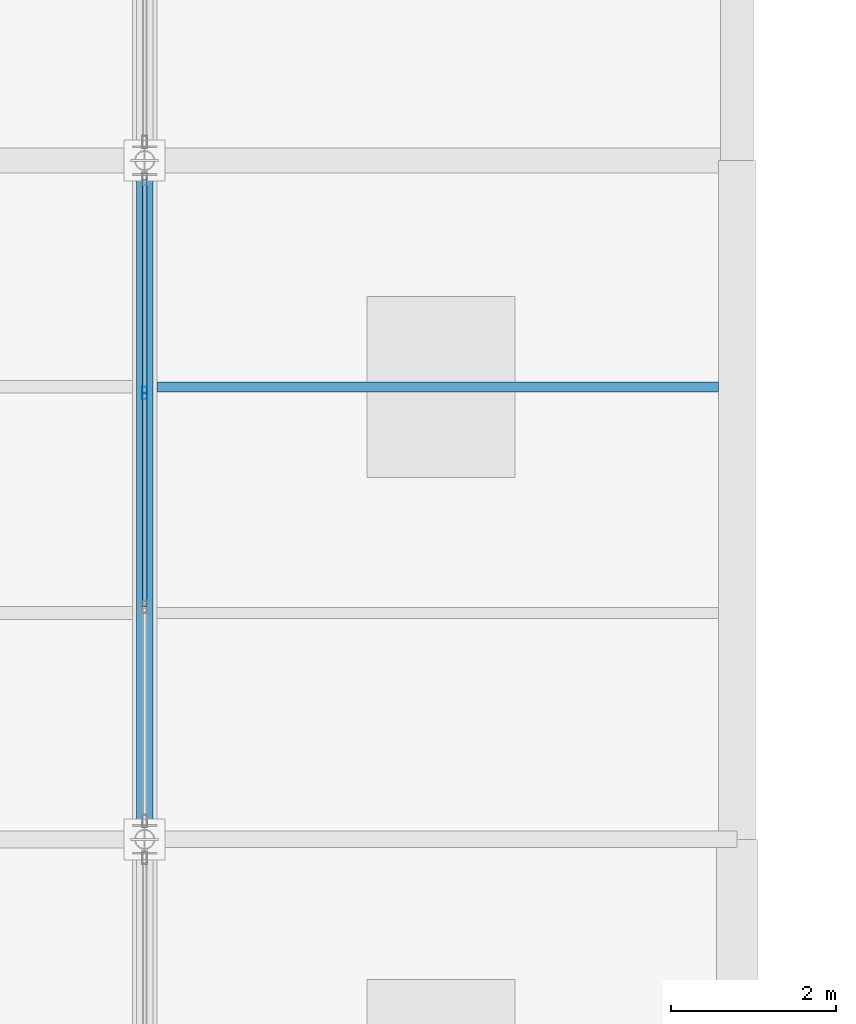
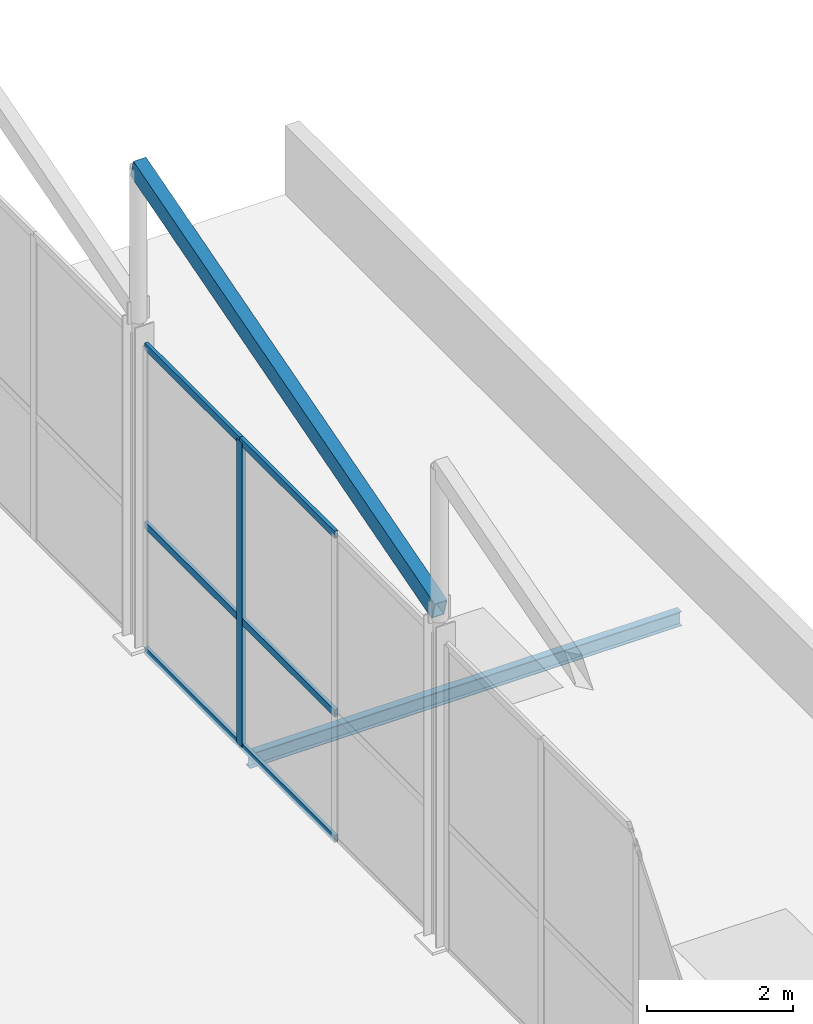
# One storey, part 68 of 141: 8 members, 1 beam, 1 element without a shape of its own.
"""IFC4 building model written with IfcOpenShell, lengths in metres."""

from ifc_helpers import new_model, si_unit, direction, frame, origin, origin_2d, place, context, subcontext, project, spatial, hollow_rectangle, i_section, extrude, material, layer, layer_set, material_profile, profile_set, type_object, element, aggregate, save


model = new_model("IFC4")

# Units and contexts
model_context = context("Model", 3, precision=1e-05, world=origin(), true_north=direction((0.0, 1.0)))
body_context = subcontext(model_context, "Body", "Model", "MODEL_VIEW")
ifc_project = project(units=[si_unit("LENGTHUNIT", "METRE"), si_unit("AREAUNIT", "SQUARE_METRE"), si_unit("VOLUMEUNIT", "CUBIC_METRE"), si_unit("PLANEANGLEUNIT", "RADIAN"), si_unit("MASSUNIT", "GRAM", prefix="KILO")], contexts=[model_context])

# Site, building, storey
site_placement = place(None, origin())
site = spatial("IfcSite", under=ifc_project, at=site_placement, CompositionType="ELEMENT")
building_placement = place(site_placement, origin())
building = spatial("IfcBuilding", under=site, at=building_placement, Name="Sundgate Opera House", CompositionType="ELEMENT")
storey_placement = place(building_placement, frame((0.0, 0.0, 11.39990234375)))
storey = spatial("IfcBuildingStorey", under=building, at=storey_placement, Name="L02", CompositionType="ELEMENT", Elevation=11.39990234375)

# Beam
ifc_material_1 = material(Name="Steel S355J2", Category="steel")
ifc_material_profile_1 = material_profile(ifc_material_1, i_section(OverallWidth=0.1201171875, OverallDepth=0.239990234375, WebThickness=0.006103515625, FlangeThickness=0.009765625, at=origin_2d()), Name="IPE 240")
ifc_profile_set_1 = profile_set([ifc_material_profile_1], Name="Steel S355J2")
beam_type = type_object("IfcBeamType", Name="BM-JS-IPE240", PredefinedType="JOIST", material=ifc_profile_set_1)
beam_placement = place(storey_placement, frame((153.14990234375, 22.0, -0.349853515625), z_axis=(1.0, 0.0, 0.0), x_axis=(0.0, 1.0, 0.0)))
element("IfcBeam", 1, at=beam_placement, inside=storey, type_object=beam_type, Name="L02 Secondary Floor Joist B2177", PredefinedType="JOIST", context=body_context, shape_type="SweptSolid", body=[
    extrude(i_section(OverallWidth=0.1201171875, OverallDepth=0.239990234375, WebThickness=0.006103515625, FlangeThickness=0.009765625, at=origin_2d()), origin(), (0.0, 0.0, 1.0), 6.8251953125),
])

# Curtain wall, members
ifc_material_2 = material(Name="Anodized aluminium and low-iron glass", Category="aluminium")
ifc_layer = layer(ifc_material_2, 0.14990234375)
ifc_layer_set = layer_set([ifc_layer], Name="Anodized aluminium and low-iron glass")
curtain_wall_type = type_object("IfcCurtainWallType", Name="CW-WORKSHOP-DARK", PredefinedType="NOTDEFINED", material=ifc_layer_set)
curtain_wall_placement = place(storey_placement, origin())
curtain_wall = element("IfcCurtainWall", 2, at=curtain_wall_placement, inside=storey, type_object=curtain_wall_type, Name="L02 Curtain Wall CW166", PredefinedType="NOTDEFINED")
ifc_material_3 = material(Name="Anodized aluminium EN AW-6063", Category="aluminium")
ifc_material_profile_2 = material_profile(ifc_material_3, hollow_rectangle(XDim=0.06005859375, YDim=0.14990234375, WallThickness=0.00390625, at=origin_2d()), Name="CWM 150x60x4")
ifc_profile_set_2 = profile_set([ifc_material_profile_2], Name="Anodized aluminium EN AW-6063")
member_type_1 = type_object("IfcMemberType", Name="CWM-ALU-150x60", PredefinedType="MULLION", material=ifc_profile_set_2)
member_1_placement = place(storey_placement, frame((153.0, 21.925048828125, 0.0), z_axis=(0.0, 0.0, 1.0), x_axis=(1.0, 0.0, 0.0)))
member_1 = element("IfcMember", 3, at=member_1_placement, type_object=member_type_1, Name="CW166 Mullion 3", PredefinedType="MULLION", context=body_context, shape_type="SweptSolid", body=[
    extrude(hollow_rectangle(XDim=0.06005859375, YDim=0.14990234375, WallThickness=0.00390625, at=origin_2d()), origin(), (0.0, 0.0, 1.0), 5.085205078125),
])
ifc_material_4 = material(Name="Anodized aluminium EN AW-6063", Category="aluminium")
ifc_material_profile_3 = material_profile(ifc_material_4, hollow_rectangle(XDim=0.054931640625, YDim=0.1201171875, WallThickness=0.00390625, at=origin_2d()), Name="CWT 120x55x4")
ifc_profile_set_3 = profile_set([ifc_material_profile_3], Name="Anodized aluminium EN AW-6063")
member_type_2 = type_object("IfcMemberType", Name="CWT-ALU-120x55", PredefinedType="USERDEFINED", material=ifc_profile_set_3)
member_2_placement = place(storey_placement, frame((153.0, 19.324951171875, 0.0), z_axis=(0.0, 1.0, 0.0), x_axis=(-1.0, 0.0, 0.0)))
member_2 = element("IfcMember", 4, at=member_2_placement, type_object=member_type_2, Name="CW166 Transom 4", ObjectType="TRANSOM", PredefinedType="USERDEFINED", context=body_context, shape_type="SweptSolid", body=[
    extrude(hollow_rectangle(XDim=0.054931640625, YDim=0.1201171875, WallThickness=0.00390625, at=origin_2d()), origin(), (0.0, 0.0, 1.0), 2.60009765625),
])
member_3_placement = place(storey_placement, frame((153.0, 19.324951171875, 2.10009765625), z_axis=(0.0, 1.0, 0.0), x_axis=(-1.0, 0.0, 0.0)))
member_3 = element("IfcMember", 5, at=member_3_placement, type_object=member_type_2, Name="CW166 Transom 5", ObjectType="TRANSOM", PredefinedType="USERDEFINED", context=body_context, shape_type="SweptSolid", body=[
    extrude(hollow_rectangle(XDim=0.054931640625, YDim=0.1201171875, WallThickness=0.00390625, at=origin_2d()), origin(), (0.0, 0.0, 1.0), 2.60009765625),
])
member_4_placement = place(storey_placement, frame((153.0, 19.324951171875, 5.085205078125), z_axis=(0.0, 1.0, 0.0), x_axis=(-1.0, 0.0, 0.0)))
member_4 = element("IfcMember", 6, at=member_4_placement, type_object=member_type_2, Name="CW166 Transom 6", ObjectType="TRANSOM", PredefinedType="USERDEFINED", context=body_context, shape_type="SweptSolid", body=[
    extrude(hollow_rectangle(XDim=0.054931640625, YDim=0.1201171875, WallThickness=0.00390625, at=origin_2d()), origin(), (0.0, 0.0, 1.0), 2.60009765625),
])
member_5_placement = place(storey_placement, frame((153.0, 21.925048828125, 0.0), z_axis=(0.0, 1.0, 0.0), x_axis=(-1.0, 0.0, 0.0)))
member_5 = element("IfcMember", 7, at=member_5_placement, type_object=member_type_2, Name="CW166 Transom 7", ObjectType="TRANSOM", PredefinedType="USERDEFINED", context=body_context, shape_type="SweptSolid", body=[
    extrude(hollow_rectangle(XDim=0.054931640625, YDim=0.1201171875, WallThickness=0.00390625, at=origin_2d()), origin(), (0.0, 0.0, 1.0), 2.599853515625),
])
member_6_placement = place(storey_placement, frame((153.0, 21.925048828125, 2.10009765625), z_axis=(0.0, 1.0, 0.0), x_axis=(-1.0, 0.0, 0.0)))
member_6 = element("IfcMember", 8, at=member_6_placement, type_object=member_type_2, Name="CW166 Transom 8", ObjectType="TRANSOM", PredefinedType="USERDEFINED", context=body_context, shape_type="SweptSolid", body=[
    extrude(hollow_rectangle(XDim=0.054931640625, YDim=0.1201171875, WallThickness=0.00390625, at=origin_2d()), origin(), (0.0, 0.0, 1.0), 2.599853515625),
])
member_7_placement = place(storey_placement, frame((153.0, 21.925048828125, 5.085205078125), z_axis=(0.0, 1.0, 0.0), x_axis=(-1.0, 0.0, 0.0)))
member_7 = element("IfcMember", 9, at=member_7_placement, type_object=member_type_2, Name="CW166 Transom 9", ObjectType="TRANSOM", PredefinedType="USERDEFINED", context=body_context, shape_type="SweptSolid", body=[
    extrude(hollow_rectangle(XDim=0.054931640625, YDim=0.1201171875, WallThickness=0.00390625, at=origin_2d()), origin(), (0.0, 0.0, 1.0), 2.599853515625),
])
aggregate(curtain_wall, [member_1, member_2, member_3, member_4, member_5, member_6, member_7])

# Member
ifc_material_5 = material(Name="Steel S355J2", Category="steel")
ifc_material_profile_4 = material_profile(ifc_material_5, hollow_rectangle(XDim=0.199951171875, YDim=0.300048828125, WallThickness=0.012451171875, at=origin_2d()), Name="RHS 300x200x12.5")
ifc_profile_set_4 = profile_set([ifc_material_profile_4], Name="Steel S355J2")
member_type_3 = type_object("IfcMemberType", Name="MB-CHORD-RHS300", PredefinedType="CHORD", material=ifc_profile_set_4)
member_8_placement = place(storey_placement, frame((153.0, 16.5, 5.550048828125), z_axis=(0.0, 0.96019072379, 0.279345259398), x_axis=(-1.0, 0.0, 0.0)))
element("IfcMember", 10, at=member_8_placement, inside=storey, type_object=member_type_3, Name="L02 Sawtooth Rafter M0415", PredefinedType="CHORD", context=body_context, shape_type="SweptSolid", body=[
    extrude(hollow_rectangle(XDim=0.199951171875, YDim=0.300048828125, WallThickness=0.012451171875, at=origin_2d()), origin(), (0.0, 0.0, 1.0), 8.592041015625),
])

save(model, "model.ifc")
